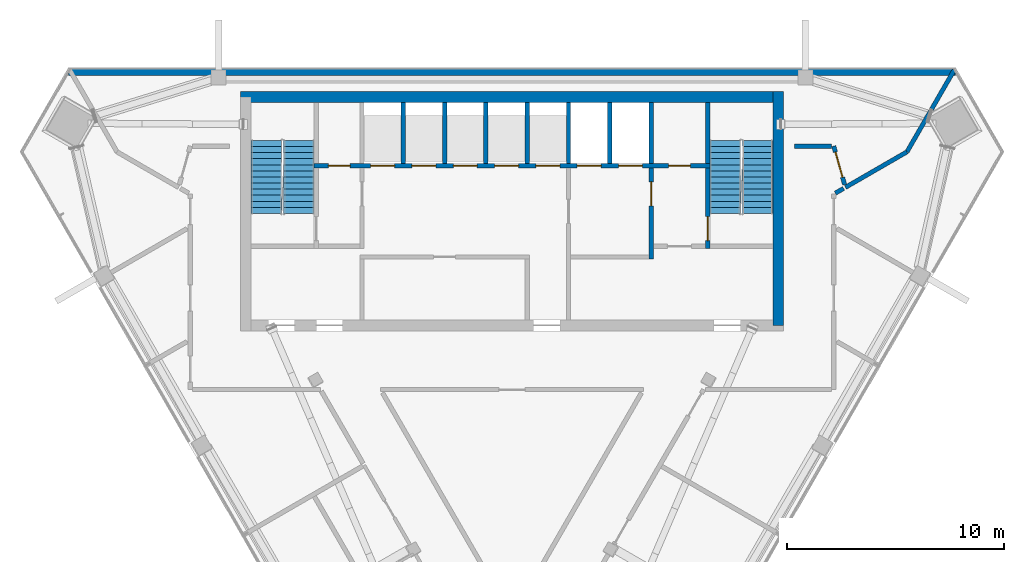
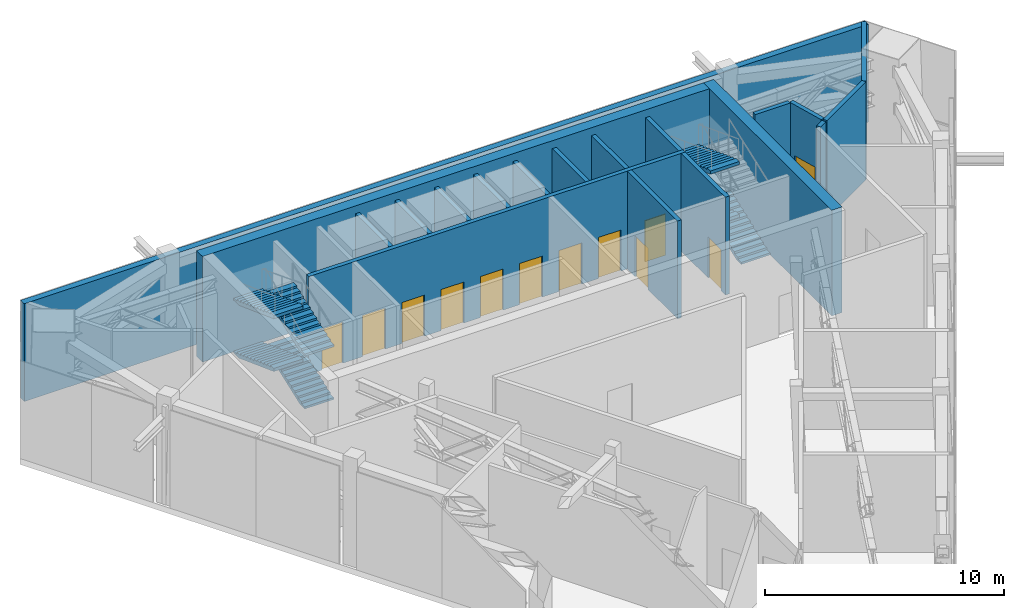
# One storey, part 9 of 13: 19 walls, 12 doors, 7 stair flights, 12 openings, 2 elements without a shape of their own.
"""IFC4 building model written with IfcOpenShell, lengths in metres."""

from ifc_helpers import new_model, si_unit, direction, frame, frame_2d, origin, place, context, subcontext, project, spatial, polyline, rectangle, outline, extrude, material, layer, layer_set, type_object, element, fill, aggregate, save


model = new_model("IFC4")

# Units and contexts
model_context = context("Model", 3, precision=1e-05, world=origin(), true_north=direction((0.0, 1.0)))
body_context = subcontext(model_context, "Body", "Model", "MODEL_VIEW")
ifc_project = project(units=[si_unit("LENGTHUNIT", "METRE"), si_unit("AREAUNIT", "SQUARE_METRE"), si_unit("VOLUMEUNIT", "CUBIC_METRE"), si_unit("PLANEANGLEUNIT", "RADIAN"), si_unit("MASSUNIT", "GRAM", prefix="KILO")], contexts=[model_context])

# Site, building, storey
site_placement = place(None, origin())
site = spatial("IfcSite", under=ifc_project, at=site_placement, CompositionType="ELEMENT")
building_placement = place(site_placement, origin())
building = spatial("IfcBuilding", under=site, at=building_placement, Name="Altiplano Prism Tower", CompositionType="ELEMENT")
storey_placement = place(building_placement, frame((0.0, 0.0, 286.0)))
storey = spatial("IfcBuildingStorey", under=building, at=storey_placement, Name="L74", CompositionType="ELEMENT", Elevation=286.0)

# Walls
ifc_material_1 = material(Name="Concrete C60/75", Category="concrete")
ifc_layer_1 = layer(ifc_material_1, 0.5)
ifc_layer_set_1 = layer_set([ifc_layer_1], Name="Concrete C60/75")
wall_type_1 = type_object("IfcWallType", Name="Core wall 500", PredefinedType="SHEAR", material=ifc_layer_set_1)
wall_1_placement = place(storey_placement, frame((97.25, 93.14990234375, 0.0), z_axis=(0.0, 0.0, 1.0), x_axis=(0.0, 1.0, 0.0)))
element("IfcWall", 1, at=wall_1_placement, inside=storey, type_object=wall_type_1, Name="Core wall E L74", PredefinedType="SHEAR", context=body_context, shape_type="SweptSolid", body=[
    extrude(rectangle(XDim=10.75, YDim=0.5, at=frame_2d((5.375, 0.0))), origin(), (0.0, 0.0, 1.0), 5.39990234375),
])
wall_2_placement = place(storey_placement, frame((97.25, 103.64990234375, 0.0), z_axis=(0.0, 0.0, 1.0), x_axis=(-1.0, 0.0, 0.0)))
element("IfcWall", 2, at=wall_2_placement, inside=storey, type_object=wall_type_1, Name="Core wall N L74", PredefinedType="SHEAR", context=body_context, shape_type="SweptSolid", body=[
    extrude(rectangle(XDim=24.75, YDim=0.5, at=frame_2d((12.375, 0.0))), origin(), (0.0, 0.0, 1.0), 5.39990234375),
])
ifc_material_2 = material(Name="Plasterboard on steel stud", Category="steel")
ifc_layer_2 = layer(ifc_material_2, 0.199951171875)
ifc_layer_set_2 = layer_set([ifc_layer_2], Name="Plasterboard on steel stud")
wall_type_2 = type_object("IfcWallType", Name="Partition 200 plant", PredefinedType="PARTITIONING", material=ifc_layer_set_2)
wall_3_placement = place(storey_placement, frame((99.875, 99.233154296875, 0.0), z_axis=(0.0, 0.0, 1.0), x_axis=(0.866101796549, 0.4998676605, 0.0)))
element("IfcWall", 3, at=wall_3_placement, inside=storey, type_object=wall_type_2, Name="Partition P04 L74 009", PredefinedType="PARTITIONING", context=body_context, shape_type="SweptSolid", body=[
    extrude(rectangle(XDim=0.4365234375, YDim=0.199951171875, at=frame_2d((0.21826171875, 0.0))), origin(), (0.0, 0.0, 1.0), 5.0),
])

# Wall, opening, door
wall_4_placement = place(storey_placement, frame((100.30224609375, 99.62353515625, 0.0), z_axis=(0.0, 0.0, 1.0), x_axis=(-0.27204752746, 0.962283816139, 0.0)))
wall_4 = element("IfcWall", 4, at=wall_4_placement, inside=storey, type_object=wall_type_2, Name="Partition P04 L74 013", PredefinedType="PARTITIONING", context=body_context, shape_type="SweptSolid", body=[
    extrude(rectangle(XDim=1.845947265625, YDim=0.199951171875, at=frame_2d((0.9228515625, 0.0))), origin(), (0.0, 0.0, 1.0), 5.0),
])
opening_1_placement = place(wall_4_placement, frame((0.35693359375, 0.0, 0.0)))
opening_1 = element("IfcOpeningElement", 5, at=opening_1_placement, cuts=wall_4, Name="Opening D2301", PredefinedType="OPENING", context=body_context, shape_type="SweptSolid", body=[
    extrude(rectangle(XDim=1.199951171875, YDim=2.39990234375, at=frame_2d((0.60009765625, 1.199951171875))), frame((0.0, 0.1103515625, 0.0), z_axis=(0.0, -1.0, 0.0), x_axis=(1.0, 0.0, 0.0)), (0.0, 0.0, 1.0), 0.220947265625),
])
ifc_material_3 = material(Name="Painted steel door leaf", Category="steel")
door_type_1 = type_object("IfcDoorType", Name="Plant room door 1200 x 2400", OperationType="NOTDEFINED", PredefinedType="NOTDEFINED", material=ifc_material_3)
door_1_placement = place(opening_1_placement, origin())
door_1 = element("IfcDoor", 6, at=door_1_placement, inside=storey, type_object=door_type_1, Name="Door D2301", OperationType="SINGLE_SWING_RIGHT", OverallHeight=2.39990234375, OverallWidth=1.199951171875, PredefinedType="NOTDEFINED", context=body_context, shape_type="SweptSolid", body=[
    extrude(rectangle(XDim=1.199951171875, YDim=2.39990234375, at=frame_2d((0.60009765625, 1.199951171875))), frame((0.0, 0.02490234375, 0.0), z_axis=(0.0, -1.0, 0.0), x_axis=(1.0, 0.0, 0.0)), (0.0, 0.0, 1.0), 0.050048828125),
])
fill(opening_1, door_1)

# Walls
wall_5_placement = place(storey_placement, frame((99.703857421875, 101.39990234375, 0.0), z_axis=(0.0, 0.0, 1.0), x_axis=(-1.0, 0.0, 0.0)))
element("IfcWall", 7, at=wall_5_placement, inside=storey, type_object=wall_type_2, Name="Partition P04 L74 014", PredefinedType="PARTITIONING", context=body_context, shape_type="SweptSolid", body=[
    extrude(rectangle(XDim=1.703857421875, YDim=0.199951171875, at=frame_2d((0.85205078125, 0.0))), origin(), (0.0, 0.0, 1.0), 5.0),
])
wall_6_placement = place(storey_placement, frame((105.34326171875, 104.89990234375, 0.0), z_axis=(0.0, 0.0, 1.0), x_axis=(-0.500035223315, -0.866005066639, 0.0)))
element("IfcWall", 8, at=wall_6_placement, inside=storey, type_object=wall_type_2, Name="Partition P04 L74 030", PredefinedType="PARTITIONING", context=body_context, shape_type="SweptSolid", body=[
    extrude(rectangle(XDim=4.346923828125, YDim=0.199951171875, at=frame_2d((2.17333984375, 0.0))), origin(), (0.0, 0.0, 1.0), 5.0),
])
wall_7_placement = place(storey_placement, frame((103.169677734375, 101.135498046875, 0.0), z_axis=(0.0, 0.0, 1.0), x_axis=(-0.866006586452, -0.50003259116, 0.0)))
element("IfcWall", 9, at=wall_7_placement, inside=storey, type_object=wall_type_2, Name="Partition P04 L74 031", PredefinedType="PARTITIONING", context=body_context, shape_type="SweptSolid", body=[
    extrude(rectangle(XDim=3.270751953125, YDim=0.199951171875, at=frame_2d((1.63525390625, 0.0))), origin(), (0.0, 0.0, 1.0), 5.0),
])

# Wall, opening, door
ifc_layer_3 = layer(ifc_material_1, 0.199951171875)
ifc_layer_set_3 = layer_set([ifc_layer_3], Name="Concrete C60/75")
wall_type_3 = type_object("IfcWallType", Name="Refuge wall 200", PredefinedType="PARTITIONING", material=ifc_layer_set_3)
wall_8_placement = place(storey_placement, frame((91.39990234375, 96.199951171875, 0.0), z_axis=(0.0, 0.0, 1.0), x_axis=(0.0, 1.0, 0.0)))
wall_8 = element("IfcWall", 10, at=wall_8_placement, inside=storey, type_object=wall_type_3, Name="Refuge wall L74", PredefinedType="PARTITIONING", context=body_context, shape_type="SweptSolid", body=[
    extrude(rectangle(XDim=4.199951171875, YDim=0.199951171875, at=frame_2d((2.10009765625, 0.0))), origin(), (0.0, 0.0, 1.0), 5.0),
])
opening_2_placement = place(wall_8_placement, frame((2.449951171875, 0.0, 0.0)))
opening_2 = element("IfcOpeningElement", 11, at=opening_2_placement, cuts=wall_8, Name="Opening D3624", PredefinedType="OPENING", context=body_context, shape_type="SweptSolid", body=[
    extrude(rectangle(XDim=1.10009765625, YDim=2.10009765625, at=frame_2d((0.550048828125, 1.050048828125))), frame((0.0, 0.1103515625, 0.0), z_axis=(0.0, -1.0, 0.0), x_axis=(1.0, 0.0, 0.0)), (0.0, 0.0, 1.0), 0.220947265625),
])
ifc_material_4 = material(Name="Fire-rated steel door", Category="steel")
door_type_2 = type_object("IfcDoorType", Name="Vestibule fire door 1100 x 2100", OperationType="NOTDEFINED", PredefinedType="NOTDEFINED", material=ifc_material_4)
door_2_placement = place(opening_2_placement, origin())
door_2 = element("IfcDoor", 12, at=door_2_placement, inside=storey, type_object=door_type_2, Name="Vestibule fire door D3624", OperationType="SINGLE_SWING_LEFT", OverallHeight=2.10009765625, OverallWidth=1.10009765625, PredefinedType="NOTDEFINED", context=body_context, shape_type="SweptSolid", body=[
    extrude(rectangle(XDim=1.10009765625, YDim=2.10009765625, at=frame_2d((0.550048828125, 1.050048828125))), frame((0.0, 0.02490234375, 0.0), z_axis=(0.0, -1.0, 0.0), x_axis=(1.0, 0.0, 0.0)), (0.0, 0.0, 1.0), 0.050048828125),
])
fill(opening_2, door_2)

# Walls
ifc_layer_4 = layer(ifc_material_1, 0.199951171875)
ifc_layer_set_4 = layer_set([ifc_layer_4], Name="Concrete C60/75")
wall_type_4 = type_object("IfcWallType", Name="Shaft wall 200", PredefinedType="SOLIDWALL", material=ifc_layer_set_4)
for number, where, z_axis, x_axis, name in (
    (13, (80.0, 100.60009765625, 0.0), (0.0, 0.0, 1.0), (0.0, 1.0, 0.0), "Shaft wall L74"),
    (14, (81.89990234375, 100.60009765625, 0.0), (0.0, 0.0, 1.0), (0.0, 1.0, 0.0), "Shaft wall L74"),
    (15, (83.800048828125, 100.60009765625, 0.0), (0.0, 0.0, 1.0), (0.0, 1.0, 0.0), "Shaft wall L74"),
    (16, (85.699951171875, 100.60009765625, 0.0), (0.0, 0.0, 1.0), (0.0, 1.0, 0.0), "Shaft wall L74"),
    (17, (87.60009765625, 100.60009765625, 0.0), (0.0, 0.0, 1.0), (0.0, 1.0, 0.0), "Shaft wall L74"),
    (18, (89.5, 100.60009765625, 0.0), (0.0, 0.0, 1.0), (0.0, 1.0, 0.0), "Shaft wall L74"),
    (19, (91.39990234375, 100.60009765625, 0.0), (0.0, 0.0, 1.0), (0.0, 1.0, 0.0), "Shaft wall L74"),
):
    element("IfcWall", number, at=place(storey_placement, frame(where, z_axis=z_axis, x_axis=x_axis)), inside=storey, type_object=wall_type_4, Name=name, PredefinedType="SOLIDWALL", context=body_context, shape_type="SweptSolid", body=[
        extrude(rectangle(XDim=2.7998046875, YDim=0.199951171875, at=frame_2d((1.39990234375, 0.0))), origin(), (0.0, 0.0, 1.0), 5.0),
    ])

# Wall, opening, door
ifc_layer_5 = layer(ifc_material_1, 0.199951171875)
ifc_layer_set_5 = layer_set([ifc_layer_5], Name="Concrete C60/75")
wall_type_5 = type_object("IfcWallType", Name="Stair wall 200", PredefinedType="SOLIDWALL", material=ifc_layer_set_5)
wall_9_placement = place(storey_placement, frame((94.0, 96.699951171875, 0.0), z_axis=(0.0, 0.0, 1.0), x_axis=(0.0, 1.0, 0.0)))
wall_9 = element("IfcWall", 20, at=wall_9_placement, inside=storey, type_object=wall_type_5, Name="Stair wall L74", PredefinedType="SOLIDWALL", context=body_context, shape_type="SweptSolid", body=[
    extrude(rectangle(XDim=3.699951171875, YDim=0.199951171875, at=frame_2d((1.85009765625, 0.0))), origin(), (0.0, 0.0, 1.0), 5.0),
])
opening_3_placement = place(wall_9_placement, frame((0.35009765625, 0.0, 0.0)))
opening_3 = element("IfcOpeningElement", 21, at=opening_3_placement, cuts=wall_9, Name="Opening D3621", PredefinedType="OPENING", context=body_context, shape_type="SweptSolid", body=[
    extrude(rectangle(XDim=1.10009765625, YDim=2.10009765625, at=frame_2d((0.550048828125, 1.050048828125))), frame((0.0, 0.1103515625, 0.0), z_axis=(0.0, -1.0, 0.0), x_axis=(1.0, 0.0, 0.0)), (0.0, 0.0, 1.0), 0.220947265625),
])
door_type_3 = type_object("IfcDoorType", Name="Stair fire door 1100 x 2100", OperationType="NOTDEFINED", PredefinedType="NOTDEFINED", material=ifc_material_4)
door_3_placement = place(opening_3_placement, origin())
door_3 = element("IfcDoor", 22, at=door_3_placement, inside=storey, type_object=door_type_3, Name="Stair fire door D3621", OperationType="SINGLE_SWING_LEFT", OverallHeight=2.10009765625, OverallWidth=1.10009765625, PredefinedType="NOTDEFINED", context=body_context, shape_type="SweptSolid", body=[
    extrude(rectangle(XDim=1.10009765625, YDim=2.10009765625, at=frame_2d((0.550048828125, 1.050048828125))), frame((0.0, 0.02490234375, 0.0), z_axis=(0.0, -1.0, 0.0), x_axis=(1.0, 0.0, 0.0)), (0.0, 0.0, 1.0), 0.050048828125),
])
fill(opening_3, door_3)

# Wall, openings, doors
wall_10_placement = place(storey_placement, frame((75.89990234375, 100.5, 0.0), z_axis=(0.0, 0.0, 1.0), x_axis=(1.0, 0.0, 0.0)))
wall_10 = element("IfcWall", 23, at=wall_10_placement, inside=storey, type_object=wall_type_5, Name="Stair wall L74", PredefinedType="SOLIDWALL", context=body_context, shape_type="SweptSolid", body=[
    extrude(rectangle(XDim=18.2001953125, YDim=0.199951171875, at=frame_2d((9.10009765625, 0.0))), origin(), (0.0, 0.0, 1.0), 5.0),
])
opening_4_placement = place(wall_10_placement, frame((2.60009765625, 0.0, 0.0)))
opening_4 = element("IfcOpeningElement", 24, at=opening_4_placement, cuts=wall_10, Name="Opening LD-HL1-L74", PredefinedType="OPENING", context=body_context, shape_type="SweptSolid", body=[
    extrude(rectangle(XDim=1.10009765625, YDim=2.10009765625, at=frame_2d((0.550048828125, 1.050048828125))), frame((0.0, 0.1103515625, 0.0), z_axis=(0.0, -1.0, 0.0), x_axis=(1.0, 0.0, 0.0)), (0.0, 0.0, 1.0), 0.220947265625),
])
opening_5_placement = place(wall_10_placement, frame((4.5, 0.0, 0.0)))
opening_5 = element("IfcOpeningElement", 25, at=opening_5_placement, cuts=wall_10, Name="Opening LD-HL2-L74", PredefinedType="OPENING", context=body_context, shape_type="SweptSolid", body=[
    extrude(rectangle(XDim=1.10009765625, YDim=2.10009765625, at=frame_2d((0.550048828125, 1.050048828125))), frame((0.0, 0.1103515625, 0.0), z_axis=(0.0, -1.0, 0.0), x_axis=(1.0, 0.0, 0.0)), (0.0, 0.0, 1.0), 0.220947265625),
])
opening_6_placement = place(wall_10_placement, frame((6.39990234375, 0.0, 0.0)))
opening_6 = element("IfcOpeningElement", 26, at=opening_6_placement, cuts=wall_10, Name="Opening LD-HL3-L74", PredefinedType="OPENING", context=body_context, shape_type="SweptSolid", body=[
    extrude(rectangle(XDim=1.10009765625, YDim=2.10009765625, at=frame_2d((0.550048828125, 1.050048828125))), frame((0.0, 0.1103515625, 0.0), z_axis=(0.0, -1.0, 0.0), x_axis=(1.0, 0.0, 0.0)), (0.0, 0.0, 1.0), 0.220947265625),
])
opening_7_placement = place(wall_10_placement, frame((8.300048828125, 0.0, 0.0)))
opening_7 = element("IfcOpeningElement", 27, at=opening_7_placement, cuts=wall_10, Name="Opening LD-HL4-L74", PredefinedType="OPENING", context=body_context, shape_type="SweptSolid", body=[
    extrude(rectangle(XDim=1.10009765625, YDim=2.10009765625, at=frame_2d((0.550048828125, 1.050048828125))), frame((0.0, 0.1103515625, 0.0), z_axis=(0.0, -1.0, 0.0), x_axis=(1.0, 0.0, 0.0)), (0.0, 0.0, 1.0), 0.220947265625),
])
opening_8_placement = place(wall_10_placement, frame((10.199951171875, 0.0, 0.0)))
opening_8 = element("IfcOpeningElement", 28, at=opening_8_placement, cuts=wall_10, Name="Opening LD-HL5-L74", PredefinedType="OPENING", context=body_context, shape_type="SweptSolid", body=[
    extrude(rectangle(XDim=1.10009765625, YDim=2.10009765625, at=frame_2d((0.550048828125, 1.050048828125))), frame((0.0, 0.1103515625, 0.0), z_axis=(0.0, -1.0, 0.0), x_axis=(1.0, 0.0, 0.0)), (0.0, 0.0, 1.0), 0.220947265625),
])
opening_9_placement = place(wall_10_placement, frame((12.10009765625, 0.0, 0.0)))
opening_9 = element("IfcOpeningElement", 29, at=opening_9_placement, cuts=wall_10, Name="Opening LD-FF1-L74", PredefinedType="OPENING", context=body_context, shape_type="SweptSolid", body=[
    extrude(rectangle(XDim=1.10009765625, YDim=2.10009765625, at=frame_2d((0.550048828125, 1.050048828125))), frame((0.0, 0.1103515625, 0.0), z_axis=(0.0, -1.0, 0.0), x_axis=(1.0, 0.0, 0.0)), (0.0, 0.0, 1.0), 0.220947265625),
])
opening_10_placement = place(wall_10_placement, frame((14.0, 0.0, 0.0)))
opening_10 = element("IfcOpeningElement", 30, at=opening_10_placement, cuts=wall_10, Name="Opening LD-FF2-L74", PredefinedType="OPENING", context=body_context, shape_type="SweptSolid", body=[
    extrude(rectangle(XDim=1.10009765625, YDim=2.10009765625, at=frame_2d((0.550048828125, 1.050048828125))), frame((0.0, 0.1103515625, 0.0), z_axis=(0.0, -1.0, 0.0), x_axis=(1.0, 0.0, 0.0)), (0.0, 0.0, 1.0), 0.220947265625),
])
opening_11_placement = place(wall_10_placement, frame((0.64990234375, 0.0, 0.0)))
opening_11 = element("IfcOpeningElement", 31, at=opening_11_placement, cuts=wall_10, Name="Opening D3628", PredefinedType="OPENING", context=body_context, shape_type="SweptSolid", body=[
    extrude(rectangle(XDim=1.0, YDim=2.10009765625, at=frame_2d((0.5, 1.050048828125))), frame((0.0, 0.1103515625, 0.0), z_axis=(0.0, -1.0, 0.0), x_axis=(1.0, 0.0, 0.0)), (0.0, 0.0, 1.0), 0.220947265625),
])
opening_12_placement = place(wall_10_placement, frame((16.300048828125, 0.0, 0.0)))
opening_12 = element("IfcOpeningElement", 32, at=opening_12_placement, cuts=wall_10, Name="Opening D3629", PredefinedType="OPENING", context=body_context, shape_type="SweptSolid", body=[
    extrude(rectangle(XDim=1.0, YDim=2.10009765625, at=frame_2d((0.5, 1.050048828125))), frame((0.0, 0.1103515625, 0.0), z_axis=(0.0, -1.0, 0.0), x_axis=(1.0, 0.0, 0.0)), (0.0, 0.0, 1.0), 0.220947265625),
])
door_type_4 = type_object("IfcDoorType", Name="Core room door 1000 x 2100", OperationType="NOTDEFINED", PredefinedType="NOTDEFINED", material=ifc_material_4)
door_4_placement = place(opening_11_placement, origin())
door_4 = element("IfcDoor", 33, at=door_4_placement, inside=storey, type_object=door_type_4, Name="Core room door D3628", OperationType="SINGLE_SWING_LEFT", OverallHeight=2.10009765625, OverallWidth=1.0, PredefinedType="NOTDEFINED", context=body_context, shape_type="SweptSolid", body=[
    extrude(rectangle(XDim=1.0, YDim=2.10009765625, at=frame_2d((0.5, 1.050048828125))), frame((0.0, 0.02490234375, 0.0), z_axis=(0.0, -1.0, 0.0), x_axis=(1.0, 0.0, 0.0)), (0.0, 0.0, 1.0), 0.050048828125),
])
fill(opening_11, door_4)
door_5_placement = place(opening_12_placement, origin())
door_5 = element("IfcDoor", 34, at=door_5_placement, inside=storey, type_object=door_type_4, Name="Core room door D3629", OperationType="SINGLE_SWING_RIGHT", OverallHeight=2.10009765625, OverallWidth=1.0, PredefinedType="NOTDEFINED", context=body_context, shape_type="SweptSolid", body=[
    extrude(rectangle(XDim=1.0, YDim=2.10009765625, at=frame_2d((0.5, 1.050048828125))), frame((0.0, 0.02490234375, 0.0), z_axis=(0.0, -1.0, 0.0), x_axis=(1.0, 0.0, 0.0)), (0.0, 0.0, 1.0), 0.050048828125),
])
fill(opening_12, door_5)
ifc_material_5 = material(Name="Stainless steel landing door", Category="steel")
door_type_5 = type_object("IfcDoorType", Name="Landing door 1100 x 2100", OperationType="NOTDEFINED", PredefinedType="NOTDEFINED", material=ifc_material_5)
door_6_placement = place(opening_4_placement, origin())
door_6 = element("IfcDoor", 35, at=door_6_placement, inside=storey, type_object=door_type_5, Name="Landing doors HL1", OperationType="SLIDING_TO_RIGHT", OverallHeight=2.10009765625, OverallWidth=1.10009765625, PredefinedType="NOTDEFINED", context=body_context, shape_type="SweptSolid", body=[
    extrude(rectangle(XDim=1.10009765625, YDim=2.10009765625, at=frame_2d((0.550048828125, 1.050048828125))), frame((0.0, 0.02490234375, 0.0), z_axis=(0.0, -1.0, 0.0), x_axis=(1.0, 0.0, 0.0)), (0.0, 0.0, 1.0), 0.050048828125),
])
fill(opening_4, door_6)
door_7_placement = place(opening_5_placement, origin())
door_7 = element("IfcDoor", 36, at=door_7_placement, inside=storey, type_object=door_type_5, Name="Landing doors HL2", OperationType="SLIDING_TO_LEFT", OverallHeight=2.10009765625, OverallWidth=1.10009765625, PredefinedType="NOTDEFINED", context=body_context, shape_type="SweptSolid", body=[
    extrude(rectangle(XDim=1.10009765625, YDim=2.10009765625, at=frame_2d((0.550048828125, 1.050048828125))), frame((0.0, 0.02490234375, 0.0), z_axis=(0.0, -1.0, 0.0), x_axis=(1.0, 0.0, 0.0)), (0.0, 0.0, 1.0), 0.050048828125),
])
fill(opening_5, door_7)
door_8_placement = place(opening_6_placement, origin())
door_8 = element("IfcDoor", 37, at=door_8_placement, inside=storey, type_object=door_type_5, Name="Landing doors HL3", OperationType="SLIDING_TO_RIGHT", OverallHeight=2.10009765625, OverallWidth=1.10009765625, PredefinedType="NOTDEFINED", context=body_context, shape_type="SweptSolid", body=[
    extrude(rectangle(XDim=1.10009765625, YDim=2.10009765625, at=frame_2d((0.550048828125, 1.050048828125))), frame((0.0, 0.02490234375, 0.0), z_axis=(0.0, -1.0, 0.0), x_axis=(1.0, 0.0, 0.0)), (0.0, 0.0, 1.0), 0.050048828125),
])
fill(opening_6, door_8)
door_9_placement = place(opening_7_placement, origin())
door_9 = element("IfcDoor", 38, at=door_9_placement, inside=storey, type_object=door_type_5, Name="Landing doors HL4", OperationType="SLIDING_TO_LEFT", OverallHeight=2.10009765625, OverallWidth=1.10009765625, PredefinedType="NOTDEFINED", context=body_context, shape_type="SweptSolid", body=[
    extrude(rectangle(XDim=1.10009765625, YDim=2.10009765625, at=frame_2d((0.550048828125, 1.050048828125))), frame((0.0, 0.02490234375, 0.0), z_axis=(0.0, -1.0, 0.0), x_axis=(1.0, 0.0, 0.0)), (0.0, 0.0, 1.0), 0.050048828125),
])
fill(opening_7, door_9)
door_10_placement = place(opening_8_placement, origin())
door_10 = element("IfcDoor", 39, at=door_10_placement, inside=storey, type_object=door_type_5, Name="Landing doors HL5", OperationType="SLIDING_TO_RIGHT", OverallHeight=2.10009765625, OverallWidth=1.10009765625, PredefinedType="NOTDEFINED", context=body_context, shape_type="SweptSolid", body=[
    extrude(rectangle(XDim=1.10009765625, YDim=2.10009765625, at=frame_2d((0.550048828125, 1.050048828125))), frame((0.0, 0.02490234375, 0.0), z_axis=(0.0, -1.0, 0.0), x_axis=(1.0, 0.0, 0.0)), (0.0, 0.0, 1.0), 0.050048828125),
])
fill(opening_8, door_10)
door_11_placement = place(opening_9_placement, origin())
door_11 = element("IfcDoor", 40, at=door_11_placement, inside=storey, type_object=door_type_5, Name="Landing doors FF1", OperationType="SLIDING_TO_RIGHT", OverallHeight=2.10009765625, OverallWidth=1.10009765625, PredefinedType="NOTDEFINED", context=body_context, shape_type="SweptSolid", body=[
    extrude(rectangle(XDim=1.10009765625, YDim=2.10009765625, at=frame_2d((0.550048828125, 1.050048828125))), frame((0.0, 0.02490234375, 0.0), z_axis=(0.0, -1.0, 0.0), x_axis=(1.0, 0.0, 0.0)), (0.0, 0.0, 1.0), 0.050048828125),
])
fill(opening_9, door_11)
door_12_placement = place(opening_10_placement, origin())
door_12 = element("IfcDoor", 41, at=door_12_placement, inside=storey, type_object=door_type_5, Name="Landing doors FF2", OperationType="SLIDING_TO_LEFT", OverallHeight=2.10009765625, OverallWidth=1.10009765625, PredefinedType="NOTDEFINED", context=body_context, shape_type="SweptSolid", body=[
    extrude(rectangle(XDim=1.10009765625, YDim=2.10009765625, at=frame_2d((0.550048828125, 1.050048828125))), frame((0.0, 0.02490234375, 0.0), z_axis=(0.0, -1.0, 0.0), x_axis=(1.0, 0.0, 0.0)), (0.0, 0.0, 1.0), 0.050048828125),
])
fill(opening_10, door_12)

# Walls
wall_11_placement = place(storey_placement, frame((94.0, 100.60009765625, 0.0), z_axis=(0.0, 0.0, 1.0), x_axis=(0.0, 1.0, 0.0)))
element("IfcWall", 42, at=wall_11_placement, inside=storey, type_object=wall_type_5, Name="Stair wall L74", PredefinedType="SOLIDWALL", context=body_context, shape_type="SweptSolid", body=[
    extrude(rectangle(XDim=2.7998046875, YDim=0.199951171875, at=frame_2d((1.39990234375, 0.0))), origin(), (0.0, 0.0, 1.0), 5.0),
])
ifc_material_6 = material(Name="Concrete C40", Category="concrete")
ifc_layer_6 = layer(ifc_material_6, 0.300048828125)
ifc_layer_set_6 = layer_set([ifc_layer_6], Name="Concrete C40")
wall_type_6 = type_object("IfcWallType", Name="Stone-clad external wall 300", PredefinedType="SOLIDWALL", material=ifc_layer_set_6)
wall_12_placement = place(storey_placement, frame((64.598876953125, 104.7900390625, 0.0), z_axis=(0.0, 0.0, 1.0), x_axis=(1.0, 0.0, 0.0)))
element("IfcWall", 43, at=wall_12_placement, inside=storey, type_object=wall_type_6, Name="External wall north face L74", PredefinedType="SOLIDWALL", context=body_context, shape_type="SweptSolid", body=[
    extrude(rectangle(XDim=40.80224609375, YDim=0.300048828125, at=frame_2d((20.401123046875, 0.0))), origin(), (0.0, 0.0, 1.0), 5.0),
])

# Stair, stair flights
ifc_material_7 = material(Name="Concrete C40/50", Category="concrete")
stair_type = type_object("IfcStairType", Name="Exit stair 1400", PredefinedType="HALF_TURN_STAIR", material=ifc_material_7)
stair_1_placement = place(storey_placement, origin())
stair_1 = element("IfcStair", 44, at=stair_1_placement, inside=storey, type_object=stair_type, Name="L74 Exit Stair 1", PredefinedType="HALF_TURN_STAIR")
stair_flight_type = type_object("IfcStairFlightType", Name="Stair flight concrete 150", PredefinedType="STRAIGHT", material=ifc_material_7)
stair_flight_1_placement = place(storey_placement, frame((75.199951171875, 98.300048828125, 0.0), z_axis=(0.0, 0.0, 1.0), x_axis=(0.0, 1.0, 0.0)))
stair_flight_1 = element("IfcStairFlight", 45, at=stair_flight_1_placement, type_object=stair_flight_type, Name="ST1 flight 1", NumberOfRisers=13, NumberOfTreads=12, PredefinedType="STRAIGHT", RiserHeight=0.103846154, TreadLength=0.28, context=body_context, shape_type="SweptSolid", body=[
    extrude(outline(polyline([(0.0, 0.0), (0.0, 0.103759765625), (0.280029296875, 0.103759765625), (0.280029296875, 0.207763671875), (0.56005859375, 0.207763671875), (0.56005859375, 0.3115234375), (0.840087890625, 0.3115234375), (0.840087890625, 0.415283203125), (1.1201171875, 0.415283203125), (1.1201171875, 0.519287109375), (1.39990234375, 0.519287109375), (1.39990234375, 0.623046875), (1.679931640625, 0.623046875), (1.679931640625, 0.726806640625), (1.9599609375, 0.726806640625), (1.9599609375, 0.830810546875), (2.239990234375, 0.830810546875), (2.239990234375, 0.9345703125), (2.52001953125, 0.9345703125), (2.52001953125, 1.03857421875), (2.800048828125, 1.03857421875), (2.800048828125, 1.142333984375), (3.080078125, 1.142333984375), (3.080078125, 1.24609375), (3.360107421875, 1.24609375), (3.360107421875, 1.35009765625), (3.360107421875, 1.086181640625), (0.43115234375, 0.0), (0.0, 0.0)])), frame((0.0, 0.699951171875, 0.0), z_axis=(0.0, -1.0, 0.0), x_axis=(1.0, 0.0, 0.0)), (0.0, 0.0, 1.0), 1.39990234375),
])
stair_flight_2_placement = place(storey_placement, frame((73.699951171875, 101.659912109375, 1.35009765625), z_axis=(0.0, 0.0, 1.0), x_axis=(0.0, -1.0, 0.0)))
stair_flight_2 = element("IfcStairFlight", 46, at=stair_flight_2_placement, type_object=stair_flight_type, Name="ST1 flight 2", NumberOfRisers=13, NumberOfTreads=12, PredefinedType="STRAIGHT", RiserHeight=0.103846154, TreadLength=0.28, context=body_context, shape_type="SweptSolid", body=[
    extrude(outline(polyline([(0.0, 0.0), (0.0, 0.103759765625), (0.280029296875, 0.103759765625), (0.280029296875, 0.207763671875), (0.56005859375, 0.207763671875), (0.56005859375, 0.3115234375), (0.840087890625, 0.3115234375), (0.840087890625, 0.415283203125), (1.1201171875, 0.415283203125), (1.1201171875, 0.519287109375), (1.39990234375, 0.519287109375), (1.39990234375, 0.623046875), (1.679931640625, 0.623046875), (1.679931640625, 0.726806640625), (1.9599609375, 0.726806640625), (1.9599609375, 0.830810546875), (2.239990234375, 0.830810546875), (2.239990234375, 0.9345703125), (2.52001953125, 0.9345703125), (2.52001953125, 1.03857421875), (2.800048828125, 1.03857421875), (2.800048828125, 1.142333984375), (3.080078125, 1.142333984375), (3.080078125, 1.24609375), (3.360107421875, 1.24609375), (3.360107421875, 1.35009765625), (3.360107421875, 1.086181640625), (0.43115234375, 0.0), (0.0, 0.0)])), frame((0.0, 0.699951171875, 0.0), z_axis=(0.0, -1.0, 0.0), x_axis=(1.0, 0.0, 0.0)), (0.0, 0.0, 1.0), 1.39990234375),
])
stair_flight_3_placement = place(storey_placement, frame((75.199951171875, 98.300048828125, 2.699951171875), z_axis=(0.0, 0.0, 1.0), x_axis=(0.0, 1.0, 0.0)))
stair_flight_3 = element("IfcStairFlight", 47, at=stair_flight_3_placement, type_object=stair_flight_type, Name="ST1 flight 3", NumberOfRisers=13, NumberOfTreads=12, PredefinedType="STRAIGHT", RiserHeight=0.103846154, TreadLength=0.28, context=body_context, shape_type="SweptSolid", body=[
    extrude(outline(polyline([(0.0, 0.0), (0.0, 0.103759765625), (0.280029296875, 0.103759765625), (0.280029296875, 0.207763671875), (0.56005859375, 0.207763671875), (0.56005859375, 0.3115234375), (0.840087890625, 0.3115234375), (0.840087890625, 0.415283203125), (1.1201171875, 0.415283203125), (1.1201171875, 0.519287109375), (1.39990234375, 0.519287109375), (1.39990234375, 0.623046875), (1.679931640625, 0.623046875), (1.679931640625, 0.726806640625), (1.9599609375, 0.726806640625), (1.9599609375, 0.830810546875), (2.239990234375, 0.830810546875), (2.239990234375, 0.9345703125), (2.52001953125, 0.9345703125), (2.52001953125, 1.03857421875), (2.800048828125, 1.03857421875), (2.800048828125, 1.142333984375), (3.080078125, 1.142333984375), (3.080078125, 1.24609375), (3.360107421875, 1.24609375), (3.360107421875, 1.35009765625), (3.360107421875, 1.086181640625), (0.43115234375, 0.0), (0.0, 0.0)])), frame((0.0, 0.699951171875, 0.0), z_axis=(0.0, -1.0, 0.0), x_axis=(1.0, 0.0, 0.0)), (0.0, 0.0, 1.0), 1.39990234375),
])
stair_flight_4_placement = place(storey_placement, frame((73.699951171875, 101.659912109375, 4.050048828125), z_axis=(0.0, 0.0, 1.0), x_axis=(0.0, -1.0, 0.0)))
stair_flight_4 = element("IfcStairFlight", 48, at=stair_flight_4_placement, type_object=stair_flight_type, Name="ST1 flight 4", NumberOfRisers=13, NumberOfTreads=12, PredefinedType="STRAIGHT", RiserHeight=0.103846154, TreadLength=0.28, context=body_context, shape_type="SweptSolid", body=[
    extrude(outline(polyline([(0.0, 0.0), (0.0, 0.103759765625), (0.280029296875, 0.103759765625), (0.280029296875, 0.207763671875), (0.56005859375, 0.207763671875), (0.56005859375, 0.3115234375), (0.840087890625, 0.3115234375), (0.840087890625, 0.415283203125), (1.1201171875, 0.415283203125), (1.1201171875, 0.519287109375), (1.39990234375, 0.519287109375), (1.39990234375, 0.623046875), (1.679931640625, 0.623046875), (1.679931640625, 0.726806640625), (1.9599609375, 0.726806640625), (1.9599609375, 0.830810546875), (2.239990234375, 0.830810546875), (2.239990234375, 0.9345703125), (2.52001953125, 0.9345703125), (2.52001953125, 1.03857421875), (2.800048828125, 1.03857421875), (2.800048828125, 1.142333984375), (3.080078125, 1.142333984375), (3.080078125, 1.24609375), (3.360107421875, 1.24609375), (3.360107421875, 1.35009765625), (3.360107421875, 1.086181640625), (0.43115234375, 0.0), (0.0, 0.0)])), frame((0.0, 0.699951171875, 0.0), z_axis=(0.0, -1.0, 0.0), x_axis=(1.0, 0.0, 0.0)), (0.0, 0.0, 1.0), 1.39990234375),
])
aggregate(stair_1, [stair_flight_1, stair_flight_2, stair_flight_3, stair_flight_4])

stair_2_placement = place(storey_placement, origin())
stair_2 = element("IfcStair", 49, at=stair_2_placement, inside=storey, type_object=stair_type, Name="L74 Exit Stair 2", PredefinedType="HALF_TURN_STAIR")
stair_flight_5_placement = place(storey_placement, frame((96.300048828125, 98.300048828125, 0.0), z_axis=(0.0, 0.0, 1.0), x_axis=(0.0, 1.0, 0.0)))
stair_flight_5 = element("IfcStairFlight", 50, at=stair_flight_5_placement, type_object=stair_flight_type, Name="ST2 flight 1", NumberOfRisers=13, NumberOfTreads=12, PredefinedType="STRAIGHT", RiserHeight=0.103846154, TreadLength=0.28, context=body_context, shape_type="SweptSolid", body=[
    extrude(outline(polyline([(0.0, 0.0), (0.0, 0.103759765625), (0.280029296875, 0.103759765625), (0.280029296875, 0.207763671875), (0.56005859375, 0.207763671875), (0.56005859375, 0.3115234375), (0.840087890625, 0.3115234375), (0.840087890625, 0.415283203125), (1.1201171875, 0.415283203125), (1.1201171875, 0.519287109375), (1.39990234375, 0.519287109375), (1.39990234375, 0.623046875), (1.679931640625, 0.623046875), (1.679931640625, 0.726806640625), (1.9599609375, 0.726806640625), (1.9599609375, 0.830810546875), (2.239990234375, 0.830810546875), (2.239990234375, 0.9345703125), (2.52001953125, 0.9345703125), (2.52001953125, 1.03857421875), (2.800048828125, 1.03857421875), (2.800048828125, 1.142333984375), (3.080078125, 1.142333984375), (3.080078125, 1.24609375), (3.360107421875, 1.24609375), (3.360107421875, 1.35009765625), (3.360107421875, 1.086181640625), (0.43115234375, 0.0), (0.0, 0.0)])), frame((0.0, 0.699951171875, 0.0), z_axis=(0.0, -1.0, 0.0), x_axis=(1.0, 0.0, 0.0)), (0.0, 0.0, 1.0), 1.39990234375),
])
stair_flight_6_placement = place(storey_placement, frame((94.800048828125, 101.659912109375, 1.35009765625), z_axis=(0.0, 0.0, 1.0), x_axis=(0.0, -1.0, 0.0)))
stair_flight_6 = element("IfcStairFlight", 51, at=stair_flight_6_placement, type_object=stair_flight_type, Name="ST2 flight 2", NumberOfRisers=13, NumberOfTreads=12, PredefinedType="STRAIGHT", RiserHeight=0.103846154, TreadLength=0.28, context=body_context, shape_type="SweptSolid", body=[
    extrude(outline(polyline([(0.0, 0.0), (0.0, 0.103759765625), (0.280029296875, 0.103759765625), (0.280029296875, 0.207763671875), (0.56005859375, 0.207763671875), (0.56005859375, 0.3115234375), (0.840087890625, 0.3115234375), (0.840087890625, 0.415283203125), (1.1201171875, 0.415283203125), (1.1201171875, 0.519287109375), (1.39990234375, 0.519287109375), (1.39990234375, 0.623046875), (1.679931640625, 0.623046875), (1.679931640625, 0.726806640625), (1.9599609375, 0.726806640625), (1.9599609375, 0.830810546875), (2.239990234375, 0.830810546875), (2.239990234375, 0.9345703125), (2.52001953125, 0.9345703125), (2.52001953125, 1.03857421875), (2.800048828125, 1.03857421875), (2.800048828125, 1.142333984375), (3.080078125, 1.142333984375), (3.080078125, 1.24609375), (3.360107421875, 1.24609375), (3.360107421875, 1.35009765625), (3.360107421875, 1.086181640625), (0.43115234375, 0.0), (0.0, 0.0)])), frame((0.0, 0.699951171875, 0.0), z_axis=(0.0, -1.0, 0.0), x_axis=(1.0, 0.0, 0.0)), (0.0, 0.0, 1.0), 1.39990234375),
])
stair_flight_7_placement = place(storey_placement, frame((94.800048828125, 101.659912109375, 4.050048828125), z_axis=(0.0, 0.0, 1.0), x_axis=(0.0, -1.0, 0.0)))
stair_flight_7 = element("IfcStairFlight", 52, at=stair_flight_7_placement, type_object=stair_flight_type, Name="ST2 flight 4", NumberOfRisers=13, NumberOfTreads=12, PredefinedType="STRAIGHT", RiserHeight=0.103846154, TreadLength=0.28, context=body_context, shape_type="SweptSolid", body=[
    extrude(outline(polyline([(0.0, 0.0), (0.0, 0.103759765625), (0.280029296875, 0.103759765625), (0.280029296875, 0.207763671875), (0.56005859375, 0.207763671875), (0.56005859375, 0.3115234375), (0.840087890625, 0.3115234375), (0.840087890625, 0.415283203125), (1.1201171875, 0.415283203125), (1.1201171875, 0.519287109375), (1.39990234375, 0.519287109375), (1.39990234375, 0.623046875), (1.679931640625, 0.623046875), (1.679931640625, 0.726806640625), (1.9599609375, 0.726806640625), (1.9599609375, 0.830810546875), (2.239990234375, 0.830810546875), (2.239990234375, 0.9345703125), (2.52001953125, 0.9345703125), (2.52001953125, 1.03857421875), (2.800048828125, 1.03857421875), (2.800048828125, 1.142333984375), (3.080078125, 1.142333984375), (3.080078125, 1.24609375), (3.360107421875, 1.24609375), (3.360107421875, 1.35009765625), (3.360107421875, 1.086181640625), (0.43115234375, 0.0), (0.0, 0.0)])), frame((0.0, 0.699951171875, 0.0), z_axis=(0.0, -1.0, 0.0), x_axis=(1.0, 0.0, 0.0)), (0.0, 0.0, 1.0), 1.39990234375),
])
aggregate(stair_2, [stair_flight_5, stair_flight_6, stair_flight_7])

save(model, "model.ifc")
